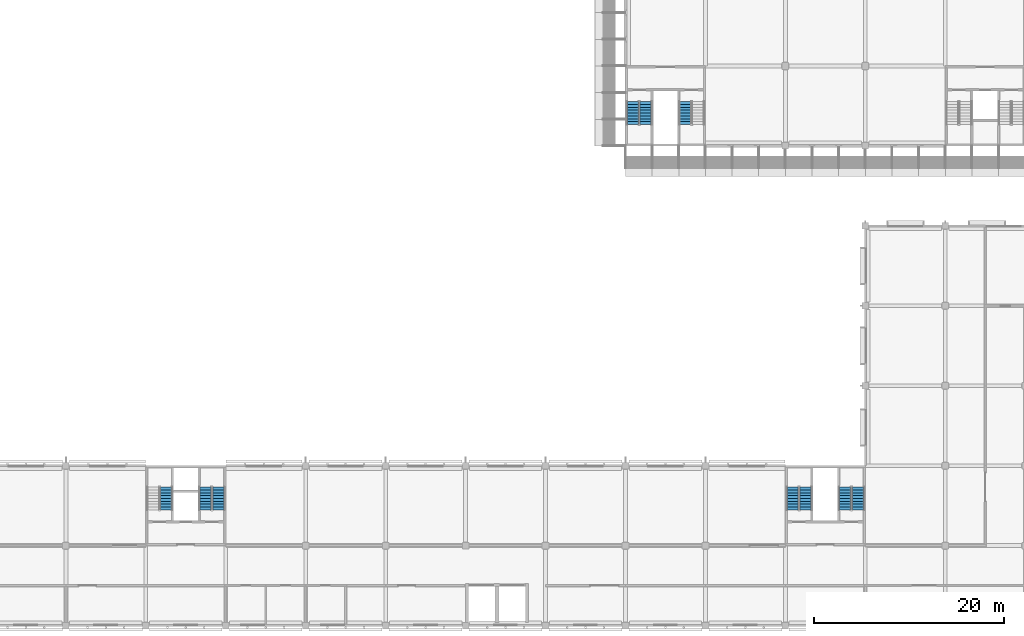
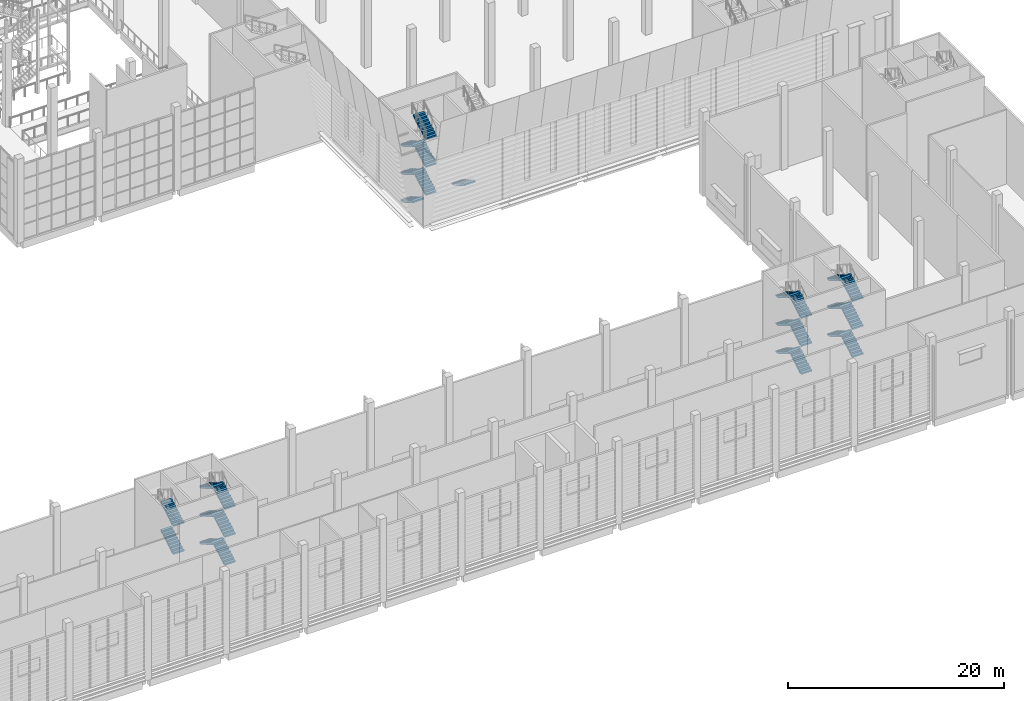
# One storey, part 54 of 114: 27 stair flights, 6 elements without a shape of their own.
"""IFC4 building model written with IfcOpenShell, lengths in metres."""

from ifc_helpers import new_model, si_unit, direction, frame, origin, place, context, subcontext, project, spatial, polyline, outline, extrude, material, type_object, element, aggregate, save


model = new_model("IFC4")

# Units and contexts
model_context = context("Model", 3, precision=1e-05, world=origin(), true_north=direction((0.0, 1.0)))
body_context = subcontext(model_context, "Body", "Model", "MODEL_VIEW")
ifc_project = project(units=[si_unit("LENGTHUNIT", "METRE"), si_unit("AREAUNIT", "SQUARE_METRE"), si_unit("VOLUMEUNIT", "CUBIC_METRE"), si_unit("PLANEANGLEUNIT", "RADIAN"), si_unit("MASSUNIT", "GRAM", prefix="KILO")], contexts=[model_context])

# Site, building, storey
site_placement = place(None, origin())
site = spatial("IfcSite", under=ifc_project, at=site_placement, CompositionType="ELEMENT")
building_placement = place(site_placement, origin())
building = spatial("IfcBuilding", under=site, at=building_placement, Name="Almond Square Museum", CompositionType="ELEMENT")
storey_placement = place(building_placement, frame((0.0, 0.0, 10.5)))
storey = spatial("IfcBuildingStorey", under=building, at=storey_placement, Name="L02", CompositionType="ELEMENT", Elevation=10.5)

# Stair, stair flights
ifc_material_1 = material(Name="Concrete C40/50", Category="concrete")
stair_type = type_object("IfcStairType", Name="Exit stair 54 risers of 176 mm", PredefinedType="HALF_TURN_STAIR", material=ifc_material_1)
stair_1_placement = place(storey_placement, origin())
stair_1 = element("IfcStair", 1, at=stair_1_placement, inside=storey, type_object=stair_type, Name="L02 stair H1-1", PredefinedType="HALF_TURN_STAIR")
ifc_material_2 = material(Name="Concrete C40/50", Category="concrete")
stair_flight_type = type_object("IfcStairFlightType", Name="Concrete flight", PredefinedType="STRAIGHT", material=ifc_material_2)
stair_flight_1_placement = place(storey_placement, frame((107.574951171875, 55.050048828125, 0.0), z_axis=(0.0, 0.0, 1.0), x_axis=(0.0, -1.0, 0.0)))
stair_flight_1 = element("IfcStairFlight", 2, at=stair_flight_1_placement, type_object=stair_flight_type, Name="ST-01 flight 1", NumberOfRisers=9, NumberOfTreads=8, PredefinedType="STRAIGHT", RiserHeight=0.175925926, TreadLength=0.3, context=body_context, shape_type="SweptSolid", body=[
    extrude(outline(polyline([(0.0, 0.0), (0.0, 0.176025390625), (0.300048828125, 0.176025390625), (0.300048828125, 0.351806640625), (0.60009765625, 0.351806640625), (0.60009765625, 0.52783203125), (0.89990234375, 0.52783203125), (0.89990234375, 0.70361328125), (1.199951171875, 0.70361328125), (1.199951171875, 0.879638671875), (1.5, 0.879638671875), (1.5, 1.0556640625), (1.800048828125, 1.0556640625), (1.800048828125, 1.2314453125), (2.10009765625, 1.2314453125), (2.10009765625, 1.407470703125), (2.39990234375, 1.407470703125), (2.39990234375, 1.583251953125), (2.39990234375, 1.233642578125), (0.29638671875, 0.0), (0.0, 0.0)])), frame((0.0, 0.574951171875, 0.0), z_axis=(0.0, -1.0, 0.0), x_axis=(1.0, 0.0, 0.0)), (0.0, 0.0, 1.0), 1.14990234375),
])
stair_flight_2_placement = place(storey_placement, frame((108.925048828125, 52.64990234375, 1.583251953125), z_axis=(0.0, 0.0, 1.0), x_axis=(0.0, 1.0, 0.0)))
stair_flight_2 = element("IfcStairFlight", 3, at=stair_flight_2_placement, type_object=stair_flight_type, Name="ST-01 flight 2", NumberOfRisers=9, NumberOfTreads=8, PredefinedType="STRAIGHT", RiserHeight=0.175925926, TreadLength=0.3, context=body_context, shape_type="SweptSolid", body=[
    extrude(outline(polyline([(0.0, 0.0), (0.0, 0.176025390625), (0.300048828125, 0.176025390625), (0.300048828125, 0.351806640625), (0.60009765625, 0.351806640625), (0.60009765625, 0.52783203125), (0.89990234375, 0.52783203125), (0.89990234375, 0.70361328125), (1.199951171875, 0.70361328125), (1.199951171875, 0.879638671875), (1.5, 0.879638671875), (1.5, 1.0556640625), (1.800048828125, 1.0556640625), (1.800048828125, 1.2314453125), (2.10009765625, 1.2314453125), (2.10009765625, 1.407470703125), (2.39990234375, 1.407470703125), (2.39990234375, 1.583251953125), (2.39990234375, 1.233642578125), (0.29638671875, 0.0), (0.0, 0.0)])), frame((0.0, 0.574951171875, 0.0), z_axis=(0.0, -1.0, 0.0), x_axis=(1.0, 0.0, 0.0)), (0.0, 0.0, 1.0), 1.14990234375),
])
stair_flight_3_placement = place(storey_placement, frame((107.574951171875, 55.050048828125, 3.166748046875), z_axis=(0.0, 0.0, 1.0), x_axis=(0.0, -1.0, 0.0)))
stair_flight_3 = element("IfcStairFlight", 4, at=stair_flight_3_placement, type_object=stair_flight_type, Name="ST-01 flight 3", NumberOfRisers=9, NumberOfTreads=8, PredefinedType="STRAIGHT", RiserHeight=0.175925926, TreadLength=0.3, context=body_context, shape_type="SweptSolid", body=[
    extrude(outline(polyline([(0.0, 0.0), (0.0, 0.176025390625), (0.300048828125, 0.176025390625), (0.300048828125, 0.351806640625), (0.60009765625, 0.351806640625), (0.60009765625, 0.52783203125), (0.89990234375, 0.52783203125), (0.89990234375, 0.70361328125), (1.199951171875, 0.70361328125), (1.199951171875, 0.879638671875), (1.5, 0.879638671875), (1.5, 1.0556640625), (1.800048828125, 1.0556640625), (1.800048828125, 1.2314453125), (2.10009765625, 1.2314453125), (2.10009765625, 1.407470703125), (2.39990234375, 1.407470703125), (2.39990234375, 1.583251953125), (2.39990234375, 1.233642578125), (0.29638671875, 0.0), (0.0, 0.0)])), frame((0.0, 0.574951171875, 0.0), z_axis=(0.0, -1.0, 0.0), x_axis=(1.0, 0.0, 0.0)), (0.0, 0.0, 1.0), 1.14990234375),
])
stair_flight_4_placement = place(storey_placement, frame((108.925048828125, 52.64990234375, 4.75), z_axis=(0.0, 0.0, 1.0), x_axis=(0.0, 1.0, 0.0)))
stair_flight_4 = element("IfcStairFlight", 5, at=stair_flight_4_placement, type_object=stair_flight_type, Name="ST-01 flight 4", NumberOfRisers=9, NumberOfTreads=8, PredefinedType="STRAIGHT", RiserHeight=0.175925926, TreadLength=0.3, context=body_context, shape_type="SweptSolid", body=[
    extrude(outline(polyline([(0.0, 0.0), (0.0, 0.176025390625), (0.300048828125, 0.176025390625), (0.300048828125, 0.351806640625), (0.60009765625, 0.351806640625), (0.60009765625, 0.52783203125), (0.89990234375, 0.52783203125), (0.89990234375, 0.70361328125), (1.199951171875, 0.70361328125), (1.199951171875, 0.879638671875), (1.5, 0.879638671875), (1.5, 1.0556640625), (1.800048828125, 1.0556640625), (1.800048828125, 1.2314453125), (2.10009765625, 1.2314453125), (2.10009765625, 1.407470703125), (2.39990234375, 1.407470703125), (2.39990234375, 1.583251953125), (2.39990234375, 1.233642578125), (0.29638671875, 0.0), (0.0, 0.0)])), frame((0.0, 0.574951171875, 0.0), z_axis=(0.0, -1.0, 0.0), x_axis=(1.0, 0.0, 0.0)), (0.0, 0.0, 1.0), 1.14990234375),
])
stair_flight_5_placement = place(storey_placement, frame((107.574951171875, 55.050048828125, 6.333251953125), z_axis=(0.0, 0.0, 1.0), x_axis=(0.0, -1.0, 0.0)))
stair_flight_5 = element("IfcStairFlight", 6, at=stair_flight_5_placement, type_object=stair_flight_type, Name="ST-01 flight 5", NumberOfRisers=9, NumberOfTreads=8, PredefinedType="STRAIGHT", RiserHeight=0.175925926, TreadLength=0.3, context=body_context, shape_type="SweptSolid", body=[
    extrude(outline(polyline([(0.0, 0.0), (0.0, 0.176025390625), (0.300048828125, 0.176025390625), (0.300048828125, 0.351806640625), (0.60009765625, 0.351806640625), (0.60009765625, 0.52783203125), (0.89990234375, 0.52783203125), (0.89990234375, 0.70361328125), (1.199951171875, 0.70361328125), (1.199951171875, 0.879638671875), (1.5, 0.879638671875), (1.5, 1.0556640625), (1.800048828125, 1.0556640625), (1.800048828125, 1.2314453125), (2.10009765625, 1.2314453125), (2.10009765625, 1.407470703125), (2.39990234375, 1.407470703125), (2.39990234375, 1.583251953125), (2.39990234375, 1.233642578125), (0.29638671875, 0.0), (0.0, 0.0)])), frame((0.0, 0.574951171875, 0.0), z_axis=(0.0, -1.0, 0.0), x_axis=(1.0, 0.0, 0.0)), (0.0, 0.0, 1.0), 1.14990234375),
])
stair_flight_6_placement = place(storey_placement, frame((108.925048828125, 52.64990234375, 7.916748046875), z_axis=(0.0, 0.0, 1.0), x_axis=(0.0, 1.0, 0.0)))
stair_flight_6 = element("IfcStairFlight", 7, at=stair_flight_6_placement, type_object=stair_flight_type, Name="ST-01 flight 6", NumberOfRisers=9, NumberOfTreads=8, PredefinedType="STRAIGHT", RiserHeight=0.175925926, TreadLength=0.3, context=body_context, shape_type="SweptSolid", body=[
    extrude(outline(polyline([(0.0, 0.0), (0.0, 0.176025390625), (0.300048828125, 0.176025390625), (0.300048828125, 0.351806640625), (0.60009765625, 0.351806640625), (0.60009765625, 0.52783203125), (0.89990234375, 0.52783203125), (0.89990234375, 0.70361328125), (1.199951171875, 0.70361328125), (1.199951171875, 0.879638671875), (1.5, 0.879638671875), (1.5, 1.0556640625), (1.800048828125, 1.0556640625), (1.800048828125, 1.2314453125), (2.10009765625, 1.2314453125), (2.10009765625, 1.407470703125), (2.39990234375, 1.407470703125), (2.39990234375, 1.583251953125), (2.39990234375, 1.233642578125), (0.29638671875, 0.0), (0.0, 0.0)])), frame((0.0, 0.574951171875, 0.0), z_axis=(0.0, -1.0, 0.0), x_axis=(1.0, 0.0, 0.0)), (0.0, 0.0, 1.0), 1.14990234375),
])
aggregate(stair_1, [stair_flight_1, stair_flight_2, stair_flight_3, stair_flight_4, stair_flight_5, stair_flight_6])

# Stair, stair flight
stair_2_placement = place(storey_placement, origin())
stair_2 = element("IfcStair", 8, at=stair_2_placement, inside=storey, type_object=stair_type, Name="L02 stair H1-2", PredefinedType="HALF_TURN_STAIR")
stair_flight_7_placement = place(storey_placement, frame((113.074951171875, 55.050048828125, 0.0), z_axis=(0.0, 0.0, 1.0), x_axis=(0.0, -1.0, 0.0)))
stair_flight_7 = element("IfcStairFlight", 9, at=stair_flight_7_placement, type_object=stair_flight_type, Name="ST-02 flight 1", NumberOfRisers=9, NumberOfTreads=8, PredefinedType="STRAIGHT", RiserHeight=0.175925926, TreadLength=0.3, context=body_context, shape_type="SweptSolid", body=[
    extrude(outline(polyline([(0.0, 0.0), (0.0, 0.176025390625), (0.300048828125, 0.176025390625), (0.300048828125, 0.351806640625), (0.60009765625, 0.351806640625), (0.60009765625, 0.52783203125), (0.89990234375, 0.52783203125), (0.89990234375, 0.70361328125), (1.199951171875, 0.70361328125), (1.199951171875, 0.879638671875), (1.5, 0.879638671875), (1.5, 1.0556640625), (1.800048828125, 1.0556640625), (1.800048828125, 1.2314453125), (2.10009765625, 1.2314453125), (2.10009765625, 1.407470703125), (2.39990234375, 1.407470703125), (2.39990234375, 1.583251953125), (2.39990234375, 1.233642578125), (0.29638671875, 0.0), (0.0, 0.0)])), frame((0.0, 0.574951171875, 0.0), z_axis=(0.0, -1.0, 0.0), x_axis=(1.0, 0.0, 0.0)), (0.0, 0.0, 1.0), 1.14990234375),
])
aggregate(stair_2, [stair_flight_7])

# Stair, stair flights
stair_3_placement = place(storey_placement, origin())
stair_3 = element("IfcStair", 10, at=stair_3_placement, inside=storey, type_object=stair_type, Name="L02 stair S2-1", PredefinedType="HALF_TURN_STAIR")
stair_flight_8_placement = place(storey_placement, frame((58.52490234375, 12.14990234375, 3.166748046875), z_axis=(0.0, 0.0, 1.0), x_axis=(0.0, 1.0, 0.0)))
stair_flight_8 = element("IfcStairFlight", 11, at=stair_flight_8_placement, type_object=stair_flight_type, Name="ST-29 flight 3", NumberOfRisers=9, NumberOfTreads=8, PredefinedType="STRAIGHT", RiserHeight=0.175925926, TreadLength=0.3, context=body_context, shape_type="SweptSolid", body=[
    extrude(outline(polyline([(0.0, 0.0), (0.0, 0.176025390625), (0.300048828125, 0.176025390625), (0.300048828125, 0.351806640625), (0.60009765625, 0.351806640625), (0.60009765625, 0.52783203125), (0.89990234375, 0.52783203125), (0.89990234375, 0.70361328125), (1.199951171875, 0.70361328125), (1.199951171875, 0.879638671875), (1.5, 0.879638671875), (1.5, 1.0556640625), (1.800048828125, 1.0556640625), (1.800048828125, 1.2314453125), (2.10009765625, 1.2314453125), (2.10009765625, 1.407470703125), (2.39990234375, 1.407470703125), (2.39990234375, 1.583251953125), (2.39990234375, 1.233642578125), (0.29638671875, 0.0), (0.0, 0.0)])), frame((0.0, 0.574951171875, 0.0), z_axis=(0.0, -1.0, 0.0), x_axis=(1.0, 0.0, 0.0)), (0.0, 0.0, 1.0), 1.14990234375),
])
stair_flight_9_placement = place(storey_placement, frame((58.52490234375, 12.14990234375, 6.333251953125), z_axis=(0.0, 0.0, 1.0), x_axis=(0.0, 1.0, 0.0)))
stair_flight_9 = element("IfcStairFlight", 12, at=stair_flight_9_placement, type_object=stair_flight_type, Name="ST-29 flight 5", NumberOfRisers=9, NumberOfTreads=8, PredefinedType="STRAIGHT", RiserHeight=0.175925926, TreadLength=0.3, context=body_context, shape_type="SweptSolid", body=[
    extrude(outline(polyline([(0.0, 0.0), (0.0, 0.176025390625), (0.300048828125, 0.176025390625), (0.300048828125, 0.351806640625), (0.60009765625, 0.351806640625), (0.60009765625, 0.52783203125), (0.89990234375, 0.52783203125), (0.89990234375, 0.70361328125), (1.199951171875, 0.70361328125), (1.199951171875, 0.879638671875), (1.5, 0.879638671875), (1.5, 1.0556640625), (1.800048828125, 1.0556640625), (1.800048828125, 1.2314453125), (2.10009765625, 1.2314453125), (2.10009765625, 1.407470703125), (2.39990234375, 1.407470703125), (2.39990234375, 1.583251953125), (2.39990234375, 1.233642578125), (0.29638671875, 0.0), (0.0, 0.0)])), frame((0.0, 0.574951171875, 0.0), z_axis=(0.0, -1.0, 0.0), x_axis=(1.0, 0.0, 0.0)), (0.0, 0.0, 1.0), 1.14990234375),
])
aggregate(stair_3, [stair_flight_8, stair_flight_9])

stair_4_placement = place(storey_placement, origin())
stair_4 = element("IfcStair", 13, at=stair_4_placement, inside=storey, type_object=stair_type, Name="L02 stair S2-2", PredefinedType="HALF_TURN_STAIR")
stair_flight_10_placement = place(storey_placement, frame((64.02490234375, 12.14990234375, 0.0), z_axis=(0.0, 0.0, 1.0), x_axis=(0.0, 1.0, 0.0)))
stair_flight_10 = element("IfcStairFlight", 14, at=stair_flight_10_placement, type_object=stair_flight_type, Name="ST-30 flight 1", NumberOfRisers=9, NumberOfTreads=8, PredefinedType="STRAIGHT", RiserHeight=0.175925926, TreadLength=0.3, context=body_context, shape_type="SweptSolid", body=[
    extrude(outline(polyline([(0.0, 0.0), (0.0, 0.176025390625), (0.300048828125, 0.176025390625), (0.300048828125, 0.351806640625), (0.60009765625, 0.351806640625), (0.60009765625, 0.52783203125), (0.89990234375, 0.52783203125), (0.89990234375, 0.70361328125), (1.199951171875, 0.70361328125), (1.199951171875, 0.879638671875), (1.5, 0.879638671875), (1.5, 1.0556640625), (1.800048828125, 1.0556640625), (1.800048828125, 1.2314453125), (2.10009765625, 1.2314453125), (2.10009765625, 1.407470703125), (2.39990234375, 1.407470703125), (2.39990234375, 1.583251953125), (2.39990234375, 1.233642578125), (0.29638671875, 0.0), (0.0, 0.0)])), frame((0.0, 0.574951171875, 0.0), z_axis=(0.0, -1.0, 0.0), x_axis=(1.0, 0.0, 0.0)), (0.0, 0.0, 1.0), 1.14990234375),
])
stair_flight_11_placement = place(storey_placement, frame((62.675048828125, 14.550048828125, 1.583251953125), z_axis=(0.0, 0.0, 1.0), x_axis=(0.0, -1.0, 0.0)))
stair_flight_11 = element("IfcStairFlight", 15, at=stair_flight_11_placement, type_object=stair_flight_type, Name="ST-30 flight 2", NumberOfRisers=9, NumberOfTreads=8, PredefinedType="STRAIGHT", RiserHeight=0.175925926, TreadLength=0.3, context=body_context, shape_type="SweptSolid", body=[
    extrude(outline(polyline([(0.0, 0.0), (0.0, 0.176025390625), (0.300048828125, 0.176025390625), (0.300048828125, 0.351806640625), (0.60009765625, 0.351806640625), (0.60009765625, 0.52783203125), (0.89990234375, 0.52783203125), (0.89990234375, 0.70361328125), (1.199951171875, 0.70361328125), (1.199951171875, 0.879638671875), (1.5, 0.879638671875), (1.5, 1.0556640625), (1.800048828125, 1.0556640625), (1.800048828125, 1.2314453125), (2.10009765625, 1.2314453125), (2.10009765625, 1.407470703125), (2.39990234375, 1.407470703125), (2.39990234375, 1.583251953125), (2.39990234375, 1.233642578125), (0.29638671875, 0.0), (0.0, 0.0)])), frame((0.0, 0.574951171875, 0.0), z_axis=(0.0, -1.0, 0.0), x_axis=(1.0, 0.0, 0.0)), (0.0, 0.0, 1.0), 1.14990234375),
])
stair_flight_12_placement = place(storey_placement, frame((64.02490234375, 12.14990234375, 3.166748046875), z_axis=(0.0, 0.0, 1.0), x_axis=(0.0, 1.0, 0.0)))
stair_flight_12 = element("IfcStairFlight", 16, at=stair_flight_12_placement, type_object=stair_flight_type, Name="ST-30 flight 3", NumberOfRisers=9, NumberOfTreads=8, PredefinedType="STRAIGHT", RiserHeight=0.175925926, TreadLength=0.3, context=body_context, shape_type="SweptSolid", body=[
    extrude(outline(polyline([(0.0, 0.0), (0.0, 0.176025390625), (0.300048828125, 0.176025390625), (0.300048828125, 0.351806640625), (0.60009765625, 0.351806640625), (0.60009765625, 0.52783203125), (0.89990234375, 0.52783203125), (0.89990234375, 0.70361328125), (1.199951171875, 0.70361328125), (1.199951171875, 0.879638671875), (1.5, 0.879638671875), (1.5, 1.0556640625), (1.800048828125, 1.0556640625), (1.800048828125, 1.2314453125), (2.10009765625, 1.2314453125), (2.10009765625, 1.407470703125), (2.39990234375, 1.407470703125), (2.39990234375, 1.583251953125), (2.39990234375, 1.233642578125), (0.29638671875, 0.0), (0.0, 0.0)])), frame((0.0, 0.574951171875, 0.0), z_axis=(0.0, -1.0, 0.0), x_axis=(1.0, 0.0, 0.0)), (0.0, 0.0, 1.0), 1.14990234375),
])
stair_flight_13_placement = place(storey_placement, frame((62.675048828125, 14.550048828125, 4.75), z_axis=(0.0, 0.0, 1.0), x_axis=(0.0, -1.0, 0.0)))
stair_flight_13 = element("IfcStairFlight", 17, at=stair_flight_13_placement, type_object=stair_flight_type, Name="ST-30 flight 4", NumberOfRisers=9, NumberOfTreads=8, PredefinedType="STRAIGHT", RiserHeight=0.175925926, TreadLength=0.3, context=body_context, shape_type="SweptSolid", body=[
    extrude(outline(polyline([(0.0, 0.0), (0.0, 0.176025390625), (0.300048828125, 0.176025390625), (0.300048828125, 0.351806640625), (0.60009765625, 0.351806640625), (0.60009765625, 0.52783203125), (0.89990234375, 0.52783203125), (0.89990234375, 0.70361328125), (1.199951171875, 0.70361328125), (1.199951171875, 0.879638671875), (1.5, 0.879638671875), (1.5, 1.0556640625), (1.800048828125, 1.0556640625), (1.800048828125, 1.2314453125), (2.10009765625, 1.2314453125), (2.10009765625, 1.407470703125), (2.39990234375, 1.407470703125), (2.39990234375, 1.583251953125), (2.39990234375, 1.233642578125), (0.29638671875, 0.0), (0.0, 0.0)])), frame((0.0, 0.574951171875, 0.0), z_axis=(0.0, -1.0, 0.0), x_axis=(1.0, 0.0, 0.0)), (0.0, 0.0, 1.0), 1.14990234375),
])
stair_flight_14_placement = place(storey_placement, frame((64.02490234375, 12.14990234375, 6.333251953125), z_axis=(0.0, 0.0, 1.0), x_axis=(0.0, 1.0, 0.0)))
stair_flight_14 = element("IfcStairFlight", 18, at=stair_flight_14_placement, type_object=stair_flight_type, Name="ST-30 flight 5", NumberOfRisers=9, NumberOfTreads=8, PredefinedType="STRAIGHT", RiserHeight=0.175925926, TreadLength=0.3, context=body_context, shape_type="SweptSolid", body=[
    extrude(outline(polyline([(0.0, 0.0), (0.0, 0.176025390625), (0.300048828125, 0.176025390625), (0.300048828125, 0.351806640625), (0.60009765625, 0.351806640625), (0.60009765625, 0.52783203125), (0.89990234375, 0.52783203125), (0.89990234375, 0.70361328125), (1.199951171875, 0.70361328125), (1.199951171875, 0.879638671875), (1.5, 0.879638671875), (1.5, 1.0556640625), (1.800048828125, 1.0556640625), (1.800048828125, 1.2314453125), (2.10009765625, 1.2314453125), (2.10009765625, 1.407470703125), (2.39990234375, 1.407470703125), (2.39990234375, 1.583251953125), (2.39990234375, 1.233642578125), (0.29638671875, 0.0), (0.0, 0.0)])), frame((0.0, 0.574951171875, 0.0), z_axis=(0.0, -1.0, 0.0), x_axis=(1.0, 0.0, 0.0)), (0.0, 0.0, 1.0), 1.14990234375),
])
stair_flight_15_placement = place(storey_placement, frame((62.675048828125, 14.550048828125, 7.916748046875), z_axis=(0.0, 0.0, 1.0), x_axis=(0.0, -1.0, 0.0)))
stair_flight_15 = element("IfcStairFlight", 19, at=stair_flight_15_placement, type_object=stair_flight_type, Name="ST-30 flight 6", NumberOfRisers=9, NumberOfTreads=8, PredefinedType="STRAIGHT", RiserHeight=0.175925926, TreadLength=0.3, context=body_context, shape_type="SweptSolid", body=[
    extrude(outline(polyline([(0.0, 0.0), (0.0, 0.176025390625), (0.300048828125, 0.176025390625), (0.300048828125, 0.351806640625), (0.60009765625, 0.351806640625), (0.60009765625, 0.52783203125), (0.89990234375, 0.52783203125), (0.89990234375, 0.70361328125), (1.199951171875, 0.70361328125), (1.199951171875, 0.879638671875), (1.5, 0.879638671875), (1.5, 1.0556640625), (1.800048828125, 1.0556640625), (1.800048828125, 1.2314453125), (2.10009765625, 1.2314453125), (2.10009765625, 1.407470703125), (2.39990234375, 1.407470703125), (2.39990234375, 1.583251953125), (2.39990234375, 1.233642578125), (0.29638671875, 0.0), (0.0, 0.0)])), frame((0.0, 0.574951171875, 0.0), z_axis=(0.0, -1.0, 0.0), x_axis=(1.0, 0.0, 0.0)), (0.0, 0.0, 1.0), 1.14990234375),
])
aggregate(stair_4, [stair_flight_10, stair_flight_11, stair_flight_12, stair_flight_13, stair_flight_14, stair_flight_15])

stair_5_placement = place(storey_placement, origin())
stair_5 = element("IfcStair", 20, at=stair_5_placement, inside=storey, type_object=stair_type, Name="L02 stair S3-1", PredefinedType="HALF_TURN_STAIR")
stair_flight_16_placement = place(storey_placement, frame((125.72509765625, 12.14990234375, 0.0), z_axis=(0.0, 0.0, 1.0), x_axis=(0.0, 1.0, 0.0)))
stair_flight_16 = element("IfcStairFlight", 21, at=stair_flight_16_placement, type_object=stair_flight_type, Name="ST-31 flight 1", NumberOfRisers=9, NumberOfTreads=8, PredefinedType="STRAIGHT", RiserHeight=0.175925926, TreadLength=0.3, context=body_context, shape_type="SweptSolid", body=[
    extrude(outline(polyline([(0.0, 0.0), (0.0, 0.176025390625), (0.300048828125, 0.176025390625), (0.300048828125, 0.351806640625), (0.60009765625, 0.351806640625), (0.60009765625, 0.52783203125), (0.89990234375, 0.52783203125), (0.89990234375, 0.70361328125), (1.199951171875, 0.70361328125), (1.199951171875, 0.879638671875), (1.5, 0.879638671875), (1.5, 1.0556640625), (1.800048828125, 1.0556640625), (1.800048828125, 1.2314453125), (2.10009765625, 1.2314453125), (2.10009765625, 1.407470703125), (2.39990234375, 1.407470703125), (2.39990234375, 1.583251953125), (2.39990234375, 1.233642578125), (0.29638671875, 0.0), (0.0, 0.0)])), frame((0.0, 0.574951171875, 0.0), z_axis=(0.0, -1.0, 0.0), x_axis=(1.0, 0.0, 0.0)), (0.0, 0.0, 1.0), 1.14990234375),
])
stair_flight_17_placement = place(storey_placement, frame((124.375, 14.550048828125, 1.583251953125), z_axis=(0.0, 0.0, 1.0), x_axis=(0.0, -1.0, 0.0)))
stair_flight_17 = element("IfcStairFlight", 22, at=stair_flight_17_placement, type_object=stair_flight_type, Name="ST-31 flight 2", NumberOfRisers=9, NumberOfTreads=8, PredefinedType="STRAIGHT", RiserHeight=0.175925926, TreadLength=0.3, context=body_context, shape_type="SweptSolid", body=[
    extrude(outline(polyline([(0.0, 0.0), (0.0, 0.176025390625), (0.300048828125, 0.176025390625), (0.300048828125, 0.351806640625), (0.60009765625, 0.351806640625), (0.60009765625, 0.52783203125), (0.89990234375, 0.52783203125), (0.89990234375, 0.70361328125), (1.199951171875, 0.70361328125), (1.199951171875, 0.879638671875), (1.5, 0.879638671875), (1.5, 1.0556640625), (1.800048828125, 1.0556640625), (1.800048828125, 1.2314453125), (2.10009765625, 1.2314453125), (2.10009765625, 1.407470703125), (2.39990234375, 1.407470703125), (2.39990234375, 1.583251953125), (2.39990234375, 1.233642578125), (0.29638671875, 0.0), (0.0, 0.0)])), frame((0.0, 0.574951171875, 0.0), z_axis=(0.0, -1.0, 0.0), x_axis=(1.0, 0.0, 0.0)), (0.0, 0.0, 1.0), 1.14990234375),
])
stair_flight_18_placement = place(storey_placement, frame((125.72509765625, 12.14990234375, 3.166748046875), z_axis=(0.0, 0.0, 1.0), x_axis=(0.0, 1.0, 0.0)))
stair_flight_18 = element("IfcStairFlight", 23, at=stair_flight_18_placement, type_object=stair_flight_type, Name="ST-31 flight 3", NumberOfRisers=9, NumberOfTreads=8, PredefinedType="STRAIGHT", RiserHeight=0.175925926, TreadLength=0.3, context=body_context, shape_type="SweptSolid", body=[
    extrude(outline(polyline([(0.0, 0.0), (0.0, 0.176025390625), (0.300048828125, 0.176025390625), (0.300048828125, 0.351806640625), (0.60009765625, 0.351806640625), (0.60009765625, 0.52783203125), (0.89990234375, 0.52783203125), (0.89990234375, 0.70361328125), (1.199951171875, 0.70361328125), (1.199951171875, 0.879638671875), (1.5, 0.879638671875), (1.5, 1.0556640625), (1.800048828125, 1.0556640625), (1.800048828125, 1.2314453125), (2.10009765625, 1.2314453125), (2.10009765625, 1.407470703125), (2.39990234375, 1.407470703125), (2.39990234375, 1.583251953125), (2.39990234375, 1.233642578125), (0.29638671875, 0.0), (0.0, 0.0)])), frame((0.0, 0.574951171875, 0.0), z_axis=(0.0, -1.0, 0.0), x_axis=(1.0, 0.0, 0.0)), (0.0, 0.0, 1.0), 1.14990234375),
])
stair_flight_19_placement = place(storey_placement, frame((124.375, 14.550048828125, 4.75), z_axis=(0.0, 0.0, 1.0), x_axis=(0.0, -1.0, 0.0)))
stair_flight_19 = element("IfcStairFlight", 24, at=stair_flight_19_placement, type_object=stair_flight_type, Name="ST-31 flight 4", NumberOfRisers=9, NumberOfTreads=8, PredefinedType="STRAIGHT", RiserHeight=0.175925926, TreadLength=0.3, context=body_context, shape_type="SweptSolid", body=[
    extrude(outline(polyline([(0.0, 0.0), (0.0, 0.176025390625), (0.300048828125, 0.176025390625), (0.300048828125, 0.351806640625), (0.60009765625, 0.351806640625), (0.60009765625, 0.52783203125), (0.89990234375, 0.52783203125), (0.89990234375, 0.70361328125), (1.199951171875, 0.70361328125), (1.199951171875, 0.879638671875), (1.5, 0.879638671875), (1.5, 1.0556640625), (1.800048828125, 1.0556640625), (1.800048828125, 1.2314453125), (2.10009765625, 1.2314453125), (2.10009765625, 1.407470703125), (2.39990234375, 1.407470703125), (2.39990234375, 1.583251953125), (2.39990234375, 1.233642578125), (0.29638671875, 0.0), (0.0, 0.0)])), frame((0.0, 0.574951171875, 0.0), z_axis=(0.0, -1.0, 0.0), x_axis=(1.0, 0.0, 0.0)), (0.0, 0.0, 1.0), 1.14990234375),
])
stair_flight_20_placement = place(storey_placement, frame((125.72509765625, 12.14990234375, 6.333251953125), z_axis=(0.0, 0.0, 1.0), x_axis=(0.0, 1.0, 0.0)))
stair_flight_20 = element("IfcStairFlight", 25, at=stair_flight_20_placement, type_object=stair_flight_type, Name="ST-31 flight 5", NumberOfRisers=9, NumberOfTreads=8, PredefinedType="STRAIGHT", RiserHeight=0.175925926, TreadLength=0.3, context=body_context, shape_type="SweptSolid", body=[
    extrude(outline(polyline([(0.0, 0.0), (0.0, 0.176025390625), (0.300048828125, 0.176025390625), (0.300048828125, 0.351806640625), (0.60009765625, 0.351806640625), (0.60009765625, 0.52783203125), (0.89990234375, 0.52783203125), (0.89990234375, 0.70361328125), (1.199951171875, 0.70361328125), (1.199951171875, 0.879638671875), (1.5, 0.879638671875), (1.5, 1.0556640625), (1.800048828125, 1.0556640625), (1.800048828125, 1.2314453125), (2.10009765625, 1.2314453125), (2.10009765625, 1.407470703125), (2.39990234375, 1.407470703125), (2.39990234375, 1.583251953125), (2.39990234375, 1.233642578125), (0.29638671875, 0.0), (0.0, 0.0)])), frame((0.0, 0.574951171875, 0.0), z_axis=(0.0, -1.0, 0.0), x_axis=(1.0, 0.0, 0.0)), (0.0, 0.0, 1.0), 1.14990234375),
])
stair_flight_21_placement = place(storey_placement, frame((124.375, 14.550048828125, 7.916748046875), z_axis=(0.0, 0.0, 1.0), x_axis=(0.0, -1.0, 0.0)))
stair_flight_21 = element("IfcStairFlight", 26, at=stair_flight_21_placement, type_object=stair_flight_type, Name="ST-31 flight 6", NumberOfRisers=9, NumberOfTreads=8, PredefinedType="STRAIGHT", RiserHeight=0.175925926, TreadLength=0.3, context=body_context, shape_type="SweptSolid", body=[
    extrude(outline(polyline([(0.0, 0.0), (0.0, 0.176025390625), (0.300048828125, 0.176025390625), (0.300048828125, 0.351806640625), (0.60009765625, 0.351806640625), (0.60009765625, 0.52783203125), (0.89990234375, 0.52783203125), (0.89990234375, 0.70361328125), (1.199951171875, 0.70361328125), (1.199951171875, 0.879638671875), (1.5, 0.879638671875), (1.5, 1.0556640625), (1.800048828125, 1.0556640625), (1.800048828125, 1.2314453125), (2.10009765625, 1.2314453125), (2.10009765625, 1.407470703125), (2.39990234375, 1.407470703125), (2.39990234375, 1.583251953125), (2.39990234375, 1.233642578125), (0.29638671875, 0.0), (0.0, 0.0)])), frame((0.0, 0.574951171875, 0.0), z_axis=(0.0, -1.0, 0.0), x_axis=(1.0, 0.0, 0.0)), (0.0, 0.0, 1.0), 1.14990234375),
])
aggregate(stair_5, [stair_flight_16, stair_flight_17, stair_flight_18, stair_flight_19, stair_flight_20, stair_flight_21])

stair_6_placement = place(storey_placement, origin())
stair_6 = element("IfcStair", 27, at=stair_6_placement, inside=storey, type_object=stair_type, Name="L02 stair S3-2", PredefinedType="HALF_TURN_STAIR")
stair_flight_22_placement = place(storey_placement, frame((131.22509765625, 12.14990234375, 0.0), z_axis=(0.0, 0.0, 1.0), x_axis=(0.0, 1.0, 0.0)))
stair_flight_22 = element("IfcStairFlight", 28, at=stair_flight_22_placement, type_object=stair_flight_type, Name="ST-32 flight 1", NumberOfRisers=9, NumberOfTreads=8, PredefinedType="STRAIGHT", RiserHeight=0.175925926, TreadLength=0.3, context=body_context, shape_type="SweptSolid", body=[
    extrude(outline(polyline([(0.0, 0.0), (0.0, 0.176025390625), (0.300048828125, 0.176025390625), (0.300048828125, 0.351806640625), (0.60009765625, 0.351806640625), (0.60009765625, 0.52783203125), (0.89990234375, 0.52783203125), (0.89990234375, 0.70361328125), (1.199951171875, 0.70361328125), (1.199951171875, 0.879638671875), (1.5, 0.879638671875), (1.5, 1.0556640625), (1.800048828125, 1.0556640625), (1.800048828125, 1.2314453125), (2.10009765625, 1.2314453125), (2.10009765625, 1.407470703125), (2.39990234375, 1.407470703125), (2.39990234375, 1.583251953125), (2.39990234375, 1.233642578125), (0.29638671875, 0.0), (0.0, 0.0)])), frame((0.0, 0.574951171875, 0.0), z_axis=(0.0, -1.0, 0.0), x_axis=(1.0, 0.0, 0.0)), (0.0, 0.0, 1.0), 1.14990234375),
])
stair_flight_23_placement = place(storey_placement, frame((129.875, 14.550048828125, 1.583251953125), z_axis=(0.0, 0.0, 1.0), x_axis=(0.0, -1.0, 0.0)))
stair_flight_23 = element("IfcStairFlight", 29, at=stair_flight_23_placement, type_object=stair_flight_type, Name="ST-32 flight 2", NumberOfRisers=9, NumberOfTreads=8, PredefinedType="STRAIGHT", RiserHeight=0.175925926, TreadLength=0.3, context=body_context, shape_type="SweptSolid", body=[
    extrude(outline(polyline([(0.0, 0.0), (0.0, 0.176025390625), (0.300048828125, 0.176025390625), (0.300048828125, 0.351806640625), (0.60009765625, 0.351806640625), (0.60009765625, 0.52783203125), (0.89990234375, 0.52783203125), (0.89990234375, 0.70361328125), (1.199951171875, 0.70361328125), (1.199951171875, 0.879638671875), (1.5, 0.879638671875), (1.5, 1.0556640625), (1.800048828125, 1.0556640625), (1.800048828125, 1.2314453125), (2.10009765625, 1.2314453125), (2.10009765625, 1.407470703125), (2.39990234375, 1.407470703125), (2.39990234375, 1.583251953125), (2.39990234375, 1.233642578125), (0.29638671875, 0.0), (0.0, 0.0)])), frame((0.0, 0.574951171875, 0.0), z_axis=(0.0, -1.0, 0.0), x_axis=(1.0, 0.0, 0.0)), (0.0, 0.0, 1.0), 1.14990234375),
])
stair_flight_24_placement = place(storey_placement, frame((131.22509765625, 12.14990234375, 3.166748046875), z_axis=(0.0, 0.0, 1.0), x_axis=(0.0, 1.0, 0.0)))
stair_flight_24 = element("IfcStairFlight", 30, at=stair_flight_24_placement, type_object=stair_flight_type, Name="ST-32 flight 3", NumberOfRisers=9, NumberOfTreads=8, PredefinedType="STRAIGHT", RiserHeight=0.175925926, TreadLength=0.3, context=body_context, shape_type="SweptSolid", body=[
    extrude(outline(polyline([(0.0, 0.0), (0.0, 0.176025390625), (0.300048828125, 0.176025390625), (0.300048828125, 0.351806640625), (0.60009765625, 0.351806640625), (0.60009765625, 0.52783203125), (0.89990234375, 0.52783203125), (0.89990234375, 0.70361328125), (1.199951171875, 0.70361328125), (1.199951171875, 0.879638671875), (1.5, 0.879638671875), (1.5, 1.0556640625), (1.800048828125, 1.0556640625), (1.800048828125, 1.2314453125), (2.10009765625, 1.2314453125), (2.10009765625, 1.407470703125), (2.39990234375, 1.407470703125), (2.39990234375, 1.583251953125), (2.39990234375, 1.233642578125), (0.29638671875, 0.0), (0.0, 0.0)])), frame((0.0, 0.574951171875, 0.0), z_axis=(0.0, -1.0, 0.0), x_axis=(1.0, 0.0, 0.0)), (0.0, 0.0, 1.0), 1.14990234375),
])
stair_flight_25_placement = place(storey_placement, frame((129.875, 14.550048828125, 4.75), z_axis=(0.0, 0.0, 1.0), x_axis=(0.0, -1.0, 0.0)))
stair_flight_25 = element("IfcStairFlight", 31, at=stair_flight_25_placement, type_object=stair_flight_type, Name="ST-32 flight 4", NumberOfRisers=9, NumberOfTreads=8, PredefinedType="STRAIGHT", RiserHeight=0.175925926, TreadLength=0.3, context=body_context, shape_type="SweptSolid", body=[
    extrude(outline(polyline([(0.0, 0.0), (0.0, 0.176025390625), (0.300048828125, 0.176025390625), (0.300048828125, 0.351806640625), (0.60009765625, 0.351806640625), (0.60009765625, 0.52783203125), (0.89990234375, 0.52783203125), (0.89990234375, 0.70361328125), (1.199951171875, 0.70361328125), (1.199951171875, 0.879638671875), (1.5, 0.879638671875), (1.5, 1.0556640625), (1.800048828125, 1.0556640625), (1.800048828125, 1.2314453125), (2.10009765625, 1.2314453125), (2.10009765625, 1.407470703125), (2.39990234375, 1.407470703125), (2.39990234375, 1.583251953125), (2.39990234375, 1.233642578125), (0.29638671875, 0.0), (0.0, 0.0)])), frame((0.0, 0.574951171875, 0.0), z_axis=(0.0, -1.0, 0.0), x_axis=(1.0, 0.0, 0.0)), (0.0, 0.0, 1.0), 1.14990234375),
])
stair_flight_26_placement = place(storey_placement, frame((131.22509765625, 12.14990234375, 6.333251953125), z_axis=(0.0, 0.0, 1.0), x_axis=(0.0, 1.0, 0.0)))
stair_flight_26 = element("IfcStairFlight", 32, at=stair_flight_26_placement, type_object=stair_flight_type, Name="ST-32 flight 5", NumberOfRisers=9, NumberOfTreads=8, PredefinedType="STRAIGHT", RiserHeight=0.175925926, TreadLength=0.3, context=body_context, shape_type="SweptSolid", body=[
    extrude(outline(polyline([(0.0, 0.0), (0.0, 0.176025390625), (0.300048828125, 0.176025390625), (0.300048828125, 0.351806640625), (0.60009765625, 0.351806640625), (0.60009765625, 0.52783203125), (0.89990234375, 0.52783203125), (0.89990234375, 0.70361328125), (1.199951171875, 0.70361328125), (1.199951171875, 0.879638671875), (1.5, 0.879638671875), (1.5, 1.0556640625), (1.800048828125, 1.0556640625), (1.800048828125, 1.2314453125), (2.10009765625, 1.2314453125), (2.10009765625, 1.407470703125), (2.39990234375, 1.407470703125), (2.39990234375, 1.583251953125), (2.39990234375, 1.233642578125), (0.29638671875, 0.0), (0.0, 0.0)])), frame((0.0, 0.574951171875, 0.0), z_axis=(0.0, -1.0, 0.0), x_axis=(1.0, 0.0, 0.0)), (0.0, 0.0, 1.0), 1.14990234375),
])
stair_flight_27_placement = place(storey_placement, frame((129.875, 14.550048828125, 7.916748046875), z_axis=(0.0, 0.0, 1.0), x_axis=(0.0, -1.0, 0.0)))
stair_flight_27 = element("IfcStairFlight", 33, at=stair_flight_27_placement, type_object=stair_flight_type, Name="ST-32 flight 6", NumberOfRisers=9, NumberOfTreads=8, PredefinedType="STRAIGHT", RiserHeight=0.175925926, TreadLength=0.3, context=body_context, shape_type="SweptSolid", body=[
    extrude(outline(polyline([(0.0, 0.0), (0.0, 0.176025390625), (0.300048828125, 0.176025390625), (0.300048828125, 0.351806640625), (0.60009765625, 0.351806640625), (0.60009765625, 0.52783203125), (0.89990234375, 0.52783203125), (0.89990234375, 0.70361328125), (1.199951171875, 0.70361328125), (1.199951171875, 0.879638671875), (1.5, 0.879638671875), (1.5, 1.0556640625), (1.800048828125, 1.0556640625), (1.800048828125, 1.2314453125), (2.10009765625, 1.2314453125), (2.10009765625, 1.407470703125), (2.39990234375, 1.407470703125), (2.39990234375, 1.583251953125), (2.39990234375, 1.233642578125), (0.29638671875, 0.0), (0.0, 0.0)])), frame((0.0, 0.574951171875, 0.0), z_axis=(0.0, -1.0, 0.0), x_axis=(1.0, 0.0, 0.0)), (0.0, 0.0, 1.0), 1.14990234375),
])
aggregate(stair_6, [stair_flight_22, stair_flight_23, stair_flight_24, stair_flight_25, stair_flight_26, stair_flight_27])

save(model, "model.ifc")
